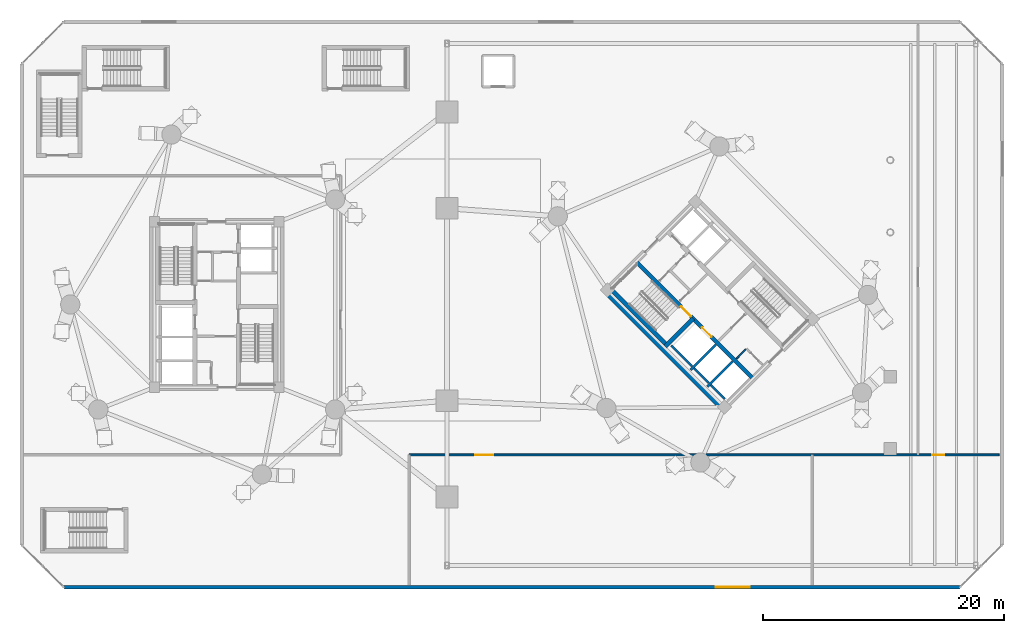
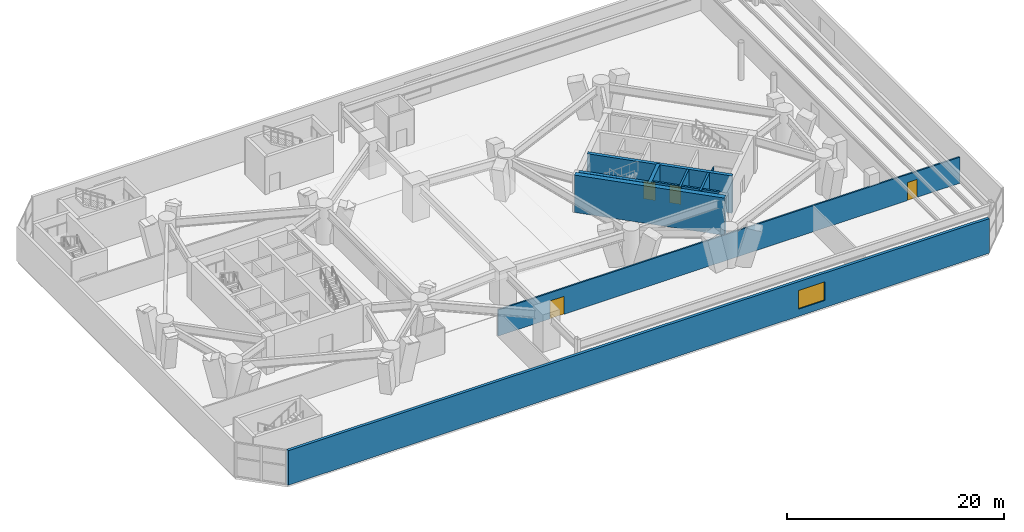
# One storey, part 12 of 20: 12 walls, 4 doors, 1 window, 5 openings.
"""IFC4 building model written with IfcOpenShell, lengths in metres."""

from ifc_helpers import new_model, si_unit, direction, frame, frame_2d, origin, place, context, subcontext, project, spatial, rectangle, extrude, source, transform, mapped, material, layer, layer_set, type_object, element, fill, save


model = new_model("IFC4")

# Units and contexts
model_context = context("Model", 3, precision=1e-05, world=origin(), true_north=direction((0.0, 1.0)))
body_context = subcontext(model_context, "Body", "Model", "MODEL_VIEW")
ifc_project = project(units=[si_unit("LENGTHUNIT", "METRE"), si_unit("AREAUNIT", "SQUARE_METRE"), si_unit("VOLUMEUNIT", "CUBIC_METRE"), si_unit("PLANEANGLEUNIT", "RADIAN"), si_unit("MASSUNIT", "GRAM", prefix="KILO")], contexts=[model_context])

# Site, building, storey
site_placement = place(None, origin())
site = spatial("IfcSite", under=ifc_project, at=site_placement, CompositionType="ELEMENT")
building_placement = place(site_placement, origin())
building = spatial("IfcBuilding", under=site, at=building_placement, Name="Cununo Teusaquillo Station Towers", CompositionType="ELEMENT")
storey_placement = place(building_placement, frame((0.0, 0.0, 4.800048828125)))
storey = spatial("IfcBuildingStorey", under=building, at=storey_placement, Name="L01", CompositionType="ELEMENT", Elevation=4.800048828125)

# Walls
ifc_material_1 = material(Name="Concrete C50/60", Category="concrete")
ifc_layer_1 = layer(ifc_material_1, 0.199951171875)
ifc_layer_set_1 = layer_set([ifc_layer_1], Name="Concrete C50/60")
wall_type_1 = type_object("IfcWallType", Name="WL-CORE-200", PredefinedType="SHEAR", material=ifc_layer_set_1)
wall_1_placement = place(storey_placement, frame((55.8876953125, 19.0693359375, 0.0), z_axis=(0.0, 0.0, 1.0), x_axis=(0.707106781187, 0.707106781187, 0.0)))
element("IfcWall", 1, at=wall_1_placement, inside=storey, type_object=wall_type_1, Name="L01 Tower B Firefighting Lift Shaft South Shear Wall", PredefinedType="SHEAR", context=body_context, shape_type="SweptSolid", body=[
    extrude(rectangle(XDim=2.969970703125, YDim=0.199951171875, at=frame_2d((1.48486328125, 0.0))), origin(), (0.0, 0.0, 1.0), 4.199951171875),
])
wall_2_placement = place(storey_placement, frame((56.01513671875, 19.366455078125, 0.0), z_axis=(0.0, 0.0, 1.0), x_axis=(-0.707106781187, 0.707106781187, 0.0)))
element("IfcWall", 2, at=wall_2_placement, inside=storey, type_object=wall_type_1, Name="L01 Tower B Firefighting Lift Shaft Rear Shear Wall", PredefinedType="SHEAR", context=body_context, shape_type="SweptSolid", body=[
    extrude(rectangle(XDim=2.43994140625, YDim=0.199951171875, at=frame_2d((1.219970703125, 0.0))), origin(), (0.0, 0.0, 1.0), 4.199951171875),
])
wall_3_placement = place(storey_placement, frame((57.2841796875, 17.6728515625, 0.0), z_axis=(0.0, 0.0, 1.0), x_axis=(0.707147878904, 0.70706568108, 0.0)))
element("IfcWall", 3, at=wall_3_placement, inside=storey, type_object=wall_type_1, Name="L01 Tower B High-Rise Lift Hoistway Divider Shear Wall", PredefinedType="SHEAR", context=body_context, shape_type="SweptSolid", body=[
    extrude(rectangle(XDim=2.97021484375, YDim=0.199951171875, at=frame_2d((1.485107421875, 0.0))), origin(), (0.0, 0.0, 1.0), 4.199951171875),
])
wall_4_placement = place(storey_placement, frame((57.41162109375, 17.969970703125, 0.0), z_axis=(0.0, 0.0, 1.0), x_axis=(-0.707106781187, 0.707106781187, 0.0)))
element("IfcWall", 4, at=wall_4_placement, inside=storey, type_object=wall_type_1, Name="L01 Tower B High-Rise Lift 2 Shaft Rear Shear Wall", PredefinedType="SHEAR", context=body_context, shape_type="SweptSolid", body=[
    extrude(rectangle(XDim=1.73486328125, YDim=0.199951171875, at=frame_2d((0.867431640625, 0.0))), origin(), (0.0, 0.0, 1.0), 4.199951171875),
])
wall_5_placement = place(storey_placement, frame((58.7373046875, 16.64404296875, 0.0), z_axis=(0.0, 0.0, 1.0), x_axis=(-0.707032117043, 0.707181437447, 0.0)))
element("IfcWall", 5, at=wall_5_placement, inside=storey, type_object=wall_type_1, Name="L01 Tower B High-Rise Lift 1 Shaft Rear Shear Wall", PredefinedType="SHEAR", context=body_context, shape_type="SweptSolid", body=[
    extrude(rectangle(XDim=1.635009765625, YDim=0.199951171875, at=frame_2d((0.8173828125, 0.0))), origin(), (0.0, 0.0, 1.0), 4.199951171875),
])

# Wall, openings, doors
ifc_material_2 = material(Name="Concrete C50/60", Category="concrete")
ifc_layer_2 = layer(ifc_material_2, 0.35009765625)
ifc_layer_set_2 = layer_set([ifc_layer_2], Name="Concrete C50/60")
wall_type_2 = type_object("IfcWallType", Name="WL-CORE-350", PredefinedType="SHEAR", material=ifc_layer_set_2)
wall_6_placement = place(storey_placement, frame((61.095703125, 18.337646484375, 0.0), z_axis=(0.0, 0.0, 1.0), x_axis=(-0.707106781187, 0.707106781187, 0.0)))
wall_6 = element("IfcWall", 6, at=wall_6_placement, inside=storey, type_object=wall_type_2, Name="L01 Tower B Core Shear Wall IW", PredefinedType="SHEAR", context=body_context, shape_type="SweptSolid", body=[
    extrude(rectangle(XDim=13.800048828125, YDim=0.35009765625, at=frame_2d((6.89990234375, 0.0))), origin(), (0.0, 0.0, 1.0), 4.199951171875),
])
shared_shape_1 = source(origin(), body_context, "Body", "SweptSolid", [
    extrude(rectangle(XDim=1.10009765625, YDim=2.014892578125, at=frame_2d((0.550048828125, 1.00732421875))), frame((0.0, 0.18505859375, 0.0), z_axis=(0.0, -1.0, 0.0), x_axis=(1.0, 0.0, 0.0)), (0.0, 0.0, 1.0), 0.3701171875),
])
opening_1_placement = place(wall_6_placement, frame((4.89990234375, 0.0, 0.0)))
opening_1 = element("IfcOpeningElement", 7, at=opening_1_placement, cuts=wall_6, Name="Opening LD-01", PredefinedType="OPENING", context=body_context, shape_type="MappedRepresentation", body=[
    mapped(shared_shape_1, transform((0.0, 0.0, 0.0), x_axis=(1.0, 0.0, 0.0), y_axis=(0.0, 1.0, 0.0), z_axis=(0.0, 0.0, 1.0), scale=1.0)),
])
shared_shape_2 = source(origin(), body_context, "Body", "SweptSolid", [
    extrude(rectangle(XDim=1.14990234375, YDim=2.02001953125, at=frame_2d((0.574951171875, 1.010009765625))), frame((0.0, 0.18505859375, 0.0), z_axis=(0.0, -1.0, 0.0), x_axis=(1.0, 0.0, 0.0)), (0.0, 0.0, 1.0), 0.3701171875),
])
opening_2_placement = place(wall_6_placement, frame((7.320068359375, 0.0, 0.0)))
opening_2 = element("IfcOpeningElement", 8, at=opening_2_placement, cuts=wall_6, Name="Opening D-ST1", PredefinedType="OPENING", context=body_context, shape_type="MappedRepresentation", body=[
    mapped(shared_shape_2, transform((0.0, 0.0, 0.0), x_axis=(1.0, 0.0, 0.0), y_axis=(0.0, 1.0, 0.0), z_axis=(0.0, 0.0, 1.0), scale=1.0)),
])
ifc_material_3 = material(Name="Galvanised fire-rated hollow steel door assembly", Category="steel")
door_type_1 = type_object("IfcDoorType", Name="DR-LIFT-1100", OperationType="SLIDING_TO_LEFT", PredefinedType="DOOR", material=ifc_material_3)
shared_shape_3 = source(origin(), body_context, "Body", "SweptSolid", [
    extrude(rectangle(XDim=1.10009765625, YDim=2.014892578125, at=frame_2d((0.550048828125, 1.00732421875))), frame((0.0, 0.02490234375, 0.0), z_axis=(0.0, -1.0, 0.0), x_axis=(1.0, 0.0, 0.0)), (0.0, 0.0, 1.0), 0.050048828125),
])
door_1_placement = place(opening_1_placement, origin())
door_1 = element("IfcDoor", 9, at=door_1_placement, inside=storey, type_object=door_type_1, Name="L01 Lift FL-T2 Sliding Landing Door", OperationType="SLIDING_TO_LEFT", OverallHeight=2.014892578125, OverallWidth=1.10009765625, PredefinedType="DOOR", context=body_context, shape_type="MappedRepresentation", body=[
    mapped(shared_shape_3, transform((0.0, 0.0, 0.0), x_axis=(1.0, 0.0, 0.0), y_axis=(0.0, 1.0, 0.0), z_axis=(0.0, 0.0, 1.0), scale=1.0)),
])
fill(opening_1, door_1)
ifc_material_4 = material(Name="Galvanised fire-rated hollow steel door assembly", Category="steel")
door_type_2 = type_object("IfcDoorType", Name="DR-STAIR-1150", OperationType="NOTDEFINED", PredefinedType="DOOR", material=ifc_material_4)
shared_shape_4 = source(origin(), body_context, "Body", "SweptSolid", [
    extrude(rectangle(XDim=1.14990234375, YDim=2.02001953125, at=frame_2d((0.574951171875, 1.010009765625))), frame((0.0, 0.02490234375, 0.0), z_axis=(0.0, -1.0, 0.0), x_axis=(1.0, 0.0, 0.0)), (0.0, 0.0, 1.0), 0.050048828125),
])
door_2_placement = place(opening_2_placement, origin())
door_2 = element("IfcDoor", 10, at=door_2_placement, inside=storey, type_object=door_type_2, Name="L01 Tower B Exit Stair 1 Fire Door", OperationType="SINGLE_SWING_LEFT", OverallHeight=2.02001953125, OverallWidth=1.14990234375, PredefinedType="DOOR", context=body_context, shape_type="MappedRepresentation", body=[
    mapped(shared_shape_4, transform((0.0, 0.0, 0.0), x_axis=(1.0, 0.0, 0.0), y_axis=(0.0, 1.0, 0.0), z_axis=(0.0, 0.0, 1.0), scale=1.0)),
])
fill(opening_2, door_2)

# Walls
wall_7_placement = place(storey_placement, frame((53.922119140625, 21.14111328125, 0.0), z_axis=(0.0, 0.0, 1.0), x_axis=(-0.707106781187, 0.707106781187, 0.0)))
element("IfcWall", 11, at=wall_7_placement, inside=storey, type_object=wall_type_2, Name="L01 Tower B Core Shear Wall ST1W", PredefinedType="SHEAR", context=body_context, shape_type="SweptSolid", body=[
    extrude(rectangle(XDim=6.7451171875, YDim=0.35009765625, at=frame_2d((3.37255859375, 0.0))), origin(), (0.0, 0.0, 1.0), 4.199951171875),
])
wall_8_placement = place(storey_placement, frame((53.7841796875, 21.00341796875, 0.0), z_axis=(0.0, 0.0, 1.0), x_axis=(0.707106781187, 0.707106781187, 0.0)))
element("IfcWall", 12, at=wall_8_placement, inside=storey, type_object=wall_type_2, Name="L01 Tower B Core Shear Wall ST1S", PredefinedType="SHEAR", context=body_context, shape_type="SweptSolid", body=[
    extrude(rectangle(XDim=3.284912109375, YDim=0.35009765625, at=frame_2d((1.642578125, 0.0))), origin(), (0.0, 0.0, 1.0), 4.199951171875),
])
ifc_material_5 = material(Name="Concrete C60/75", Category="concrete")
ifc_layer_3 = layer(ifc_material_5, 0.5)
ifc_layer_set_3 = layer_set([ifc_layer_3], Name="Concrete C60/75")
wall_type_3 = type_object("IfcWallType", Name="WL-CORE-500", PredefinedType="SHEAR", material=ifc_layer_set_3)
wall_9_placement = place(storey_placement, frame((58.772705078125, 15.6611328125, 0.0), z_axis=(0.0, 0.0, 1.0), x_axis=(-0.707106781187, 0.707106781187, 0.0)))
element("IfcWall", 13, at=wall_9_placement, inside=storey, type_object=wall_type_3, Name="L01 Tower B Core Shear Wall W", PredefinedType="SHEAR", context=body_context, shape_type="SweptSolid", body=[
    extrude(rectangle(XDim=14.2998046875, YDim=0.5, at=frame_2d((7.14990234375, 0.0))), origin(), (0.0, 0.0, 1.0), 4.199951171875),
])

# Wall, opening, window
ifc_material_6 = material(Name="Precast concrete C40/50", Category="concrete")
ifc_layer_4 = layer(ifc_material_6, 0.300048828125)
ifc_layer_set_4 = layer_set([ifc_layer_4], Name="Precast concrete C40/50")
wall_type_4 = type_object("IfcWallType", Name="WL-EXT-300", PredefinedType="SOLIDWALL", material=ifc_layer_set_4)
wall_10_placement = place(storey_placement, frame((78.300048828125, 1.0, 0.0), z_axis=(0.0, 0.0, 1.0), x_axis=(-1.0, 0.0, 0.0)))
wall_10 = element("IfcWall", 14, at=wall_10_placement, inside=storey, type_object=wall_type_4, Name="L01 Station Podium Facade Wall 7", PredefinedType="SOLIDWALL", context=body_context, shape_type="SweptSolid", body=[
    extrude(rectangle(XDim=74.5, YDim=0.300048828125, at=frame_2d((37.25, 0.0))), origin(), (0.0, 0.0, 1.0), 3.885009765625),
])
shared_shape_5 = source(origin(), body_context, "Body", "SweptSolid", [
    extrude(rectangle(XDim=2.800048828125, YDim=2.10009765625, at=frame_2d((1.39990234375, 1.050048828125))), frame((0.0, 0.159912109375, 0.0), z_axis=(0.0, -1.0, 0.0), x_axis=(1.0, 0.0, 0.0)), (0.0, 0.0, 1.0), 0.320068359375),
])
opening_3_placement = place(wall_10_placement, frame((17.5, 0.0, 0.800048828125)))
opening_3 = element("IfcOpeningElement", 15, at=opening_3_placement, cuts=wall_10, Name="Opening WN-05", PredefinedType="OPENING", context=body_context, shape_type="MappedRepresentation", body=[
    mapped(shared_shape_5, transform((0.0, 0.0, 0.0), x_axis=(1.0, 0.0, 0.0), y_axis=(0.0, 1.0, 0.0), z_axis=(0.0, 0.0, 1.0), scale=1.0)),
])
ifc_material_7 = material(Name="Laminated acoustic clear low-E glazing", Category="glass")
window_type = type_object("IfcWindowType", Name="WIN-POD-2800", PartitioningType="TRIPLE_PANEL_VERTICAL", PredefinedType="WINDOW", material=ifc_material_7)
shared_shape_6 = source(origin(), body_context, "Body", "SweptSolid", [
    extrude(rectangle(XDim=2.800048828125, YDim=2.10009765625, at=frame_2d((1.39990234375, 1.050048828125))), frame((0.0, 0.030029296875, 0.0), z_axis=(0.0, -1.0, 0.0), x_axis=(1.0, 0.0, 0.0)), (0.0, 0.0, 1.0), 0.06005859375),
])
window_placement = place(opening_3_placement, origin())
window = element("IfcWindow", 16, at=window_placement, inside=storey, type_object=window_type, Name="L01 Podium Ribbon Window 7.2", OverallHeight=2.10009765625, OverallWidth=2.800048828125, PartitioningType="TRIPLE_PANEL_VERTICAL", PredefinedType="WINDOW", context=body_context, shape_type="MappedRepresentation", body=[
    mapped(shared_shape_6, transform((0.0, 0.0, 0.0), x_axis=(1.0, 0.0, 0.0), y_axis=(0.0, 1.0, 0.0), z_axis=(0.0, 0.0, 1.0), scale=1.0)),
])
fill(opening_3, window)

# Wall
ifc_material_8 = material(Name="Fire-rated gypsum plasterboard partition assembly", Category="gypsum")
ifc_layer_5 = layer(ifc_material_8, 0.125)
ifc_layer_set_5 = layer_set([ifc_layer_5], Name="Fire-rated gypsum plasterboard partition assembly")
wall_type_5 = type_object("IfcWallType", Name="WL-PART-125", PredefinedType="PARTITIONING", material=ifc_layer_set_5)
wall_11_placement = place(storey_placement, frame((59.713134765625, 19.99560546875, 0.0), z_axis=(0.0, 0.0, 1.0), x_axis=(0.707217726, 0.706995818963, 0.0)))
element("IfcWall", 17, at=wall_11_placement, inside=storey, type_object=wall_type_5, Name="L01 Tower B South-West Compact Store North Wall", PredefinedType="PARTITIONING", context=body_context, shape_type="SweptSolid", body=[
    extrude(rectangle(XDim=1.10009765625, YDim=0.125, at=frame_2d((0.550048828125, 0.0))), origin(), (0.0, 0.0, 1.0), 3.885009765625),
])

# Wall, openings, doors
ifc_material_9 = material(Name="Fire-rated gypsum plasterboard partition assembly", Category="gypsum")
ifc_layer_6 = layer(ifc_material_9, 0.159912109375)
ifc_layer_set_6 = layer_set([ifc_layer_6], Name="Fire-rated gypsum plasterboard partition assembly")
wall_type_6 = type_object("IfcWallType", Name="WL-PART-160", PredefinedType="PARTITIONING", material=ifc_layer_set_6)
wall_12_placement = place(storey_placement, frame((32.5, 12.0, 0.0), z_axis=(0.0, 0.0, 1.0), x_axis=(1.0, 0.0, 0.0)))
wall_12 = element("IfcWall", 18, at=wall_12_placement, inside=storey, type_object=wall_type_6, Name="L01 South Wing Corridor Wall", PredefinedType="PARTITIONING", context=body_context, shape_type="SweptSolid", body=[
    extrude(rectangle(XDim=49.050048828125, YDim=0.159912109375, at=frame_2d((24.52490234375, 0.0))), origin(), (0.0, 0.0, 1.0), 2.928955078125),
])
shared_shape_7 = source(origin(), body_context, "Body", "SweptSolid", [
    extrude(rectangle(XDim=1.5, YDim=2.02001953125, at=frame_2d((0.75, 1.010009765625))), frame((0.0, 0.08984375, 0.0), z_axis=(0.0, -1.0, 0.0), x_axis=(1.0, 0.0, 0.0)), (0.0, 0.0, 1.0), 0.179931640625),
])
opening_4_placement = place(wall_12_placement, frame((5.5, 0.0, 0.0)))
opening_4 = element("IfcOpeningElement", 19, at=opening_4_placement, cuts=wall_12, Name="Opening D-LB1", PredefinedType="OPENING", context=body_context, shape_type="MappedRepresentation", body=[
    mapped(shared_shape_7, transform((0.0, 0.0, 0.0), x_axis=(1.0, 0.0, 0.0), y_axis=(0.0, 1.0, 0.0), z_axis=(0.0, 0.0, 1.0), scale=1.0)),
])
shared_shape_8 = source(origin(), body_context, "Body", "SweptSolid", [
    extrude(rectangle(XDim=1.0, YDim=2.014892578125, at=frame_2d((0.5, 1.00732421875))), frame((0.0, 0.08984375, 0.0), z_axis=(0.0, -1.0, 0.0), x_axis=(1.0, 0.0, 0.0)), (0.0, 0.0, 1.0), 0.179931640625),
])
opening_5_placement = place(wall_12_placement, frame((43.5, 0.0, 0.0)))
opening_5 = element("IfcOpeningElement", 20, at=opening_5_placement, cuts=wall_12, Name="Opening D-AC1", PredefinedType="OPENING", context=body_context, shape_type="MappedRepresentation", body=[
    mapped(shared_shape_8, transform((0.0, 0.0, 0.0), x_axis=(1.0, 0.0, 0.0), y_axis=(0.0, 1.0, 0.0), z_axis=(0.0, 0.0, 1.0), scale=1.0)),
])
ifc_material_10 = material(Name="Galvanised fire-rated hollow steel door assembly", Category="steel")
door_type_3 = type_object("IfcDoorType", Name="DR-LOBBY-1500", OperationType="DOUBLE_DOOR_SINGLE_SWING", PredefinedType="DOOR", material=ifc_material_10)
shared_shape_9 = source(origin(), body_context, "Body", "SweptSolid", [
    extrude(rectangle(XDim=1.5, YDim=2.02001953125, at=frame_2d((0.75, 1.010009765625))), frame((0.0, 0.02490234375, 0.0), z_axis=(0.0, -1.0, 0.0), x_axis=(1.0, 0.0, 0.0)), (0.0, 0.0, 1.0), 0.050048828125),
])
door_3_placement = place(opening_4_placement, origin())
door_3 = element("IfcDoor", 21, at=door_3_placement, inside=storey, type_object=door_type_3, Name="L01 South Salon Entrance Door", OperationType="DOUBLE_DOOR_SINGLE_SWING", OverallHeight=2.02001953125, OverallWidth=1.5, PredefinedType="DOOR", context=body_context, shape_type="MappedRepresentation", body=[
    mapped(shared_shape_9, transform((0.0, 0.0, 0.0), x_axis=(1.0, 0.0, 0.0), y_axis=(0.0, 1.0, 0.0), z_axis=(0.0, 0.0, 1.0), scale=1.0)),
])
fill(opening_4, door_3)
ifc_material_11 = material(Name="Acoustic solid-core hardwood leaf assembly", Category="wood")
door_type_4 = type_object("IfcDoorType", Name="DR-ACC-1000", OperationType="NOTDEFINED", PredefinedType="DOOR", material=ifc_material_11)
shared_shape_10 = source(origin(), body_context, "Body", "SweptSolid", [
    extrude(rectangle(XDim=1.0, YDim=2.014892578125, at=frame_2d((0.5, 1.00732421875))), frame((0.0, 0.02490234375, 0.0), z_axis=(0.0, -1.0, 0.0), x_axis=(1.0, 0.0, 0.0)), (0.0, 0.0, 1.0), 0.050048828125),
])
door_4_placement = place(opening_5_placement, origin())
door_4 = element("IfcDoor", 22, at=door_4_placement, inside=storey, type_object=door_type_4, Name="L01 Public & Accessible Restrooms Door", OperationType="SINGLE_SWING_RIGHT", OverallHeight=2.014892578125, OverallWidth=1.0, PredefinedType="DOOR", context=body_context, shape_type="MappedRepresentation", body=[
    mapped(shared_shape_10, transform((0.0, 0.0, 0.0), x_axis=(1.0, 0.0, 0.0), y_axis=(0.0, 1.0, 0.0), z_axis=(0.0, 0.0, 1.0), scale=1.0)),
])
fill(opening_5, door_4)

save(model, "model.ifc")
